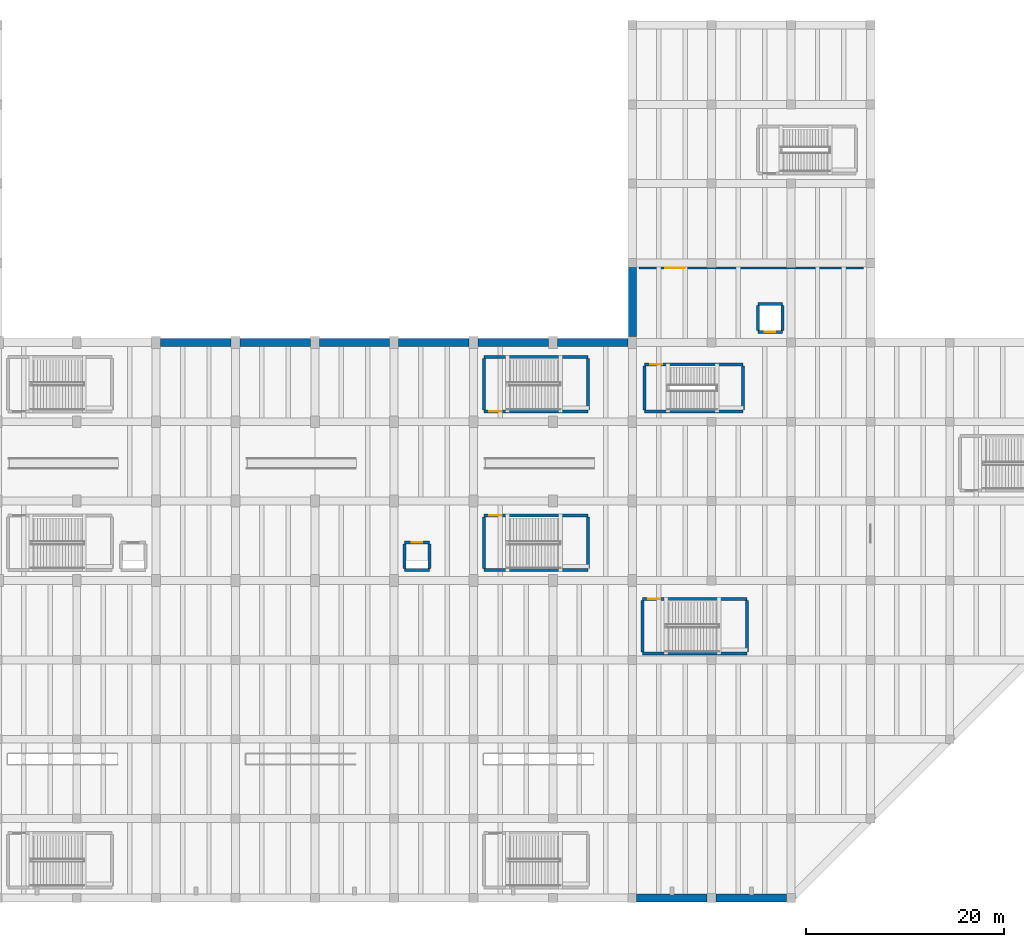
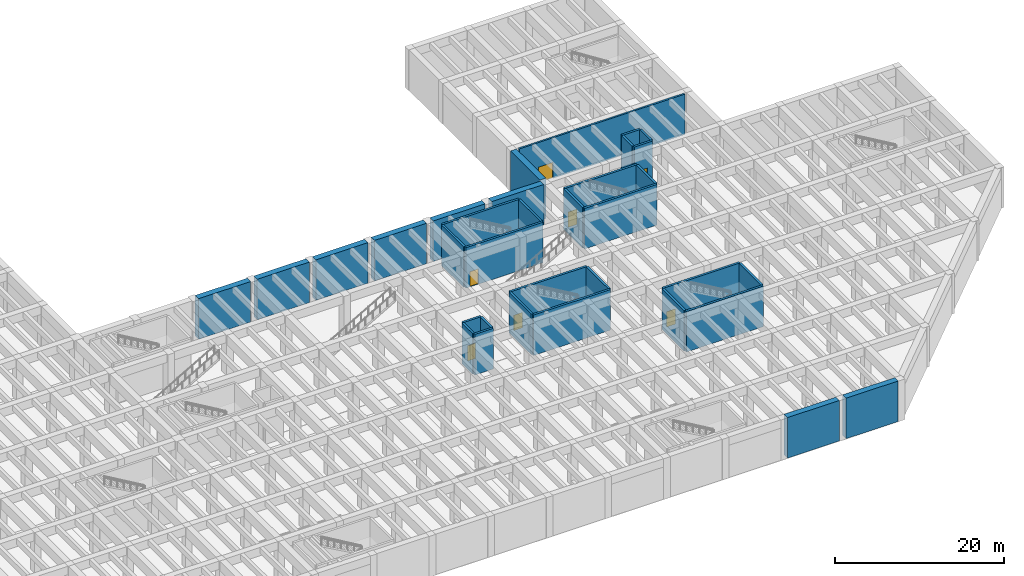
# One storey, part 10 of 24: 34 walls, 7 doors, 7 openings.
"""IFC4 building model written with IfcOpenShell, lengths in metres."""

from ifc_helpers import new_model, si_unit, direction, frame, frame_2d, origin, place, context, subcontext, project, spatial, rectangle, extrude, material, layer, layer_set, type_object, element, fill, save


model = new_model("IFC4")

# Units and contexts
model_context = context("Model", 3, precision=1e-05, world=origin(), true_north=direction((0.0, 1.0)))
body_context = subcontext(model_context, "Body", "Model", "MODEL_VIEW")
ifc_project = project(units=[si_unit("LENGTHUNIT", "METRE"), si_unit("AREAUNIT", "SQUARE_METRE"), si_unit("VOLUMEUNIT", "CUBIC_METRE"), si_unit("PLANEANGLEUNIT", "RADIAN"), si_unit("MASSUNIT", "GRAM", prefix="KILO")], contexts=[model_context])

# Site, building, storey
site_placement = place(None, origin())
site = spatial("IfcSite", under=ifc_project, at=site_placement, CompositionType="ELEMENT")
building_placement = place(site_placement, origin())
building = spatial("IfcBuilding", under=site, at=building_placement, Name="Varnela Railside Interchange", CompositionType="ELEMENT")
storey_placement = place(building_placement, frame((0.0, 0.0, -6.300048828125)))
storey = spatial("IfcBuildingStorey", under=building, at=storey_placement, Name="B1", CompositionType="ELEMENT", Elevation=-6.300048828125)

# Wall, opening, door
ifc_material_1 = material(Name="Concrete C50", Category="concrete")
ifc_layer_1 = layer(ifc_material_1, 0.300048828125)
ifc_layer_set_1 = layer_set([ifc_layer_1], Name="Concrete C50")
wall_type_1 = type_object("IfcWallType", Name="Stair & Lift Shaft Wall SW-03", PredefinedType="SHEAR", material=ifc_layer_set_1)
wall_1_placement = place(storey_placement, frame((117.25, 59.75, 0.0), z_axis=(0.0, 0.0, 1.0), x_axis=(1.0, 0.0, 0.0)))
wall_1 = element("IfcWall", 1, at=wall_1_placement, inside=storey, type_object=wall_type_1, Name="Stair & Lift Shaft Wall SW-03 (B1) (WL-0279)", PredefinedType="SHEAR", context=body_context, shape_type="SweptSolid", body=[
    extrude(rectangle(XDim=9.89990234375, YDim=0.300048828125, at=frame_2d((4.949951171875, 0.0))), origin(), (0.0, 0.0, 1.0), 5.85009765625),
])
opening_1_placement = place(wall_1_placement, frame((0.550048828125, 0.0, 0.0)))
opening_1 = element("IfcOpeningElement", 2, at=opening_1_placement, cuts=wall_1, Name="Opening D-129", PredefinedType="OPENING", context=body_context, shape_type="SweptSolid", body=[
    extrude(rectangle(XDim=1.199951171875, YDim=2.199951171875, at=frame_2d((0.60009765625, 1.10009765625))), frame((0.0, 0.159912109375, 0.0), z_axis=(0.0, -1.0, 0.0), x_axis=(1.0, 0.0, 0.0)), (0.0, 0.0, 1.0), 0.320068359375),
])
ifc_material_2 = material(Name="Steel AR 350 (350 MPa)", Category="steel")
door_type_1 = type_object("IfcDoorType", Name="DR-SGL-1200-FD90", OperationType="NOTDEFINED", PredefinedType="DOOR", material=ifc_material_2)
door_1_placement = place(opening_1_placement, frame((1.199951171875, 0.0, 0.0), z_axis=(0.0, 0.0, 1.0), x_axis=(-1.0, 0.0, 0.0)))
door_1 = element("IfcDoor", 3, at=door_1_placement, inside=storey, type_object=door_type_1, Name="Door D-129", OperationType="SINGLE_SWING_LEFT", OverallHeight=2.199951171875, OverallWidth=1.199951171875, PredefinedType="DOOR", context=body_context, shape_type="SweptSolid", body=[
    extrude(rectangle(XDim=1.199951171875, YDim=2.199951171875, at=frame_2d((0.60009765625, 1.10009765625))), frame((0.0, 0.02490234375, 0.0), z_axis=(0.0, -1.0, 0.0), x_axis=(1.0, 0.0, 0.0)), (0.0, 0.0, 1.0), 0.050048828125),
])
fill(opening_1, door_1)

# Walls
wall_2_placement = place(storey_placement, frame((117.25, 55.050048828125, 0.0), z_axis=(0.0, 0.0, 1.0), x_axis=(1.0, 0.0, 0.0)))
element("IfcWall", 4, at=wall_2_placement, inside=storey, type_object=wall_type_1, Name="Stair & Lift Shaft Wall SW-03 (B1) (WL-0280)", PredefinedType="SHEAR", context=body_context, shape_type="SweptSolid", body=[
    extrude(rectangle(XDim=9.89990234375, YDim=0.300048828125, at=frame_2d((4.949951171875, 0.0))), origin(), (0.0, 0.0, 1.0), 5.85009765625),
])
for number, where, z_axis, x_axis, name in (
    (5, (117.25, 55.199951171875, 0.0), (0.0, 0.0, 1.0), (0.0, 1.0, 0.0), "Stair & Lift Shaft Wall SW-03 (B1) (WL-0281)"),
    (6, (127.14990234375, 55.199951171875, 0.0), (0.0, 0.0, 1.0), (0.0, 1.0, 0.0), "Stair & Lift Shaft Wall SW-03 (B1) (WL-0278)"),
):
    element("IfcWall", number, at=place(storey_placement, frame(where, z_axis=z_axis, x_axis=x_axis)), inside=storey, type_object=wall_type_1, Name=name, PredefinedType="SHEAR", context=body_context, shape_type="SweptSolid", body=[
        extrude(rectangle(XDim=4.400146484375, YDim=0.300048828125, at=frame_2d((2.2001953125, 0.0))), origin(), (0.0, 0.0, 1.0), 5.85009765625),
    ])

# Wall, opening, door
wall_3_placement = place(storey_placement, frame((101.050048828125, 44.550048828125, 0.0), z_axis=(0.0, 0.0, 1.0), x_axis=(1.0, 0.0, 0.0)))
wall_3 = element("IfcWall", 7, at=wall_3_placement, inside=storey, type_object=wall_type_1, Name="Stair & Lift Shaft Wall SW-03 (B1) (WL-0267)", PredefinedType="SHEAR", context=body_context, shape_type="SweptSolid", body=[
    extrude(rectangle(XDim=10.5, YDim=0.300048828125, at=frame_2d((5.25, 0.0))), origin(), (0.0, 0.0, 1.0), 5.85009765625),
])
opening_2_placement = place(wall_3_placement, frame((0.550048828125, 0.0, 0.0)))
opening_2 = element("IfcOpeningElement", 8, at=opening_2_placement, cuts=wall_3, Name="Opening D-133", PredefinedType="OPENING", context=body_context, shape_type="SweptSolid", body=[
    extrude(rectangle(XDim=1.199951171875, YDim=2.199951171875, at=frame_2d((0.60009765625, 1.10009765625))), frame((0.0, 0.159912109375, 0.0), z_axis=(0.0, -1.0, 0.0), x_axis=(1.0, 0.0, 0.0)), (0.0, 0.0, 1.0), 0.320068359375),
])
door_2_placement = place(opening_2_placement, frame((1.199951171875, 0.0, 0.0), z_axis=(0.0, 0.0, 1.0), x_axis=(-1.0, 0.0, 0.0)))
door_2 = element("IfcDoor", 9, at=door_2_placement, inside=storey, type_object=door_type_1, Name="Door D-133", OperationType="SINGLE_SWING_LEFT", OverallHeight=2.199951171875, OverallWidth=1.199951171875, PredefinedType="DOOR", context=body_context, shape_type="SweptSolid", body=[
    extrude(rectangle(XDim=1.199951171875, YDim=2.199951171875, at=frame_2d((0.60009765625, 1.10009765625))), frame((0.0, 0.02490234375, 0.0), z_axis=(0.0, -1.0, 0.0), x_axis=(1.0, 0.0, 0.0)), (0.0, 0.0, 1.0), 0.050048828125),
])
fill(opening_2, door_2)

# Walls
wall_4_placement = place(storey_placement, frame((101.050048828125, 39.050048828125, 0.0), z_axis=(0.0, 0.0, 1.0), x_axis=(1.0, 0.0, 0.0)))
element("IfcWall", 10, at=wall_4_placement, inside=storey, type_object=wall_type_1, Name="Stair & Lift Shaft Wall SW-03 (B1) (WL-0268)", PredefinedType="SHEAR", context=body_context, shape_type="SweptSolid", body=[
    extrude(rectangle(XDim=10.5, YDim=0.300048828125, at=frame_2d((5.25, 0.0))), origin(), (0.0, 0.0, 1.0), 5.85009765625),
])
for number, where, z_axis, x_axis, name in (
    (11, (101.050048828125, 39.199951171875, 0.0), (0.0, 0.0, 1.0), (0.0, 1.0, 0.0), "Stair & Lift Shaft Wall SW-03 (B1) (WL-0269)"),
    (12, (111.550048828125, 39.199951171875, 0.0), (0.0, 0.0, 1.0), (0.0, 1.0, 0.0), "Stair & Lift Shaft Wall SW-03 (B1) (WL-0266)"),
):
    element("IfcWall", number, at=place(storey_placement, frame(where, z_axis=z_axis, x_axis=x_axis)), inside=storey, type_object=wall_type_1, Name=name, PredefinedType="SHEAR", context=body_context, shape_type="SweptSolid", body=[
        extrude(rectangle(XDim=5.199951171875, YDim=0.300048828125, at=frame_2d((2.60009765625, 0.0))), origin(), (0.0, 0.0, 1.0), 5.85009765625),
    ])
wall_5_placement = place(storey_placement, frame((101.050048828125, 60.550048828125, 0.0), z_axis=(0.0, 0.0, 1.0), x_axis=(1.0, 0.0, 0.0)))
element("IfcWall", 13, at=wall_5_placement, inside=storey, type_object=wall_type_1, Name="Stair & Lift Shaft Wall SW-03 (B1) (WL-0275)", PredefinedType="SHEAR", context=body_context, shape_type="SweptSolid", body=[
    extrude(rectangle(XDim=10.5, YDim=0.300048828125, at=frame_2d((5.25, 0.0))), origin(), (0.0, 0.0, 1.0), 5.85009765625),
])

# Wall, opening, door
wall_6_placement = place(storey_placement, frame((101.050048828125, 55.050048828125, 0.0), z_axis=(0.0, 0.0, 1.0), x_axis=(1.0, 0.0, 0.0)))
wall_6 = element("IfcWall", 14, at=wall_6_placement, inside=storey, type_object=wall_type_1, Name="Stair & Lift Shaft Wall SW-03 (B1) (WL-0276)", PredefinedType="SHEAR", context=body_context, shape_type="SweptSolid", body=[
    extrude(rectangle(XDim=10.5, YDim=0.300048828125, at=frame_2d((5.25, 0.0))), origin(), (0.0, 0.0, 1.0), 5.85009765625),
])
opening_3_placement = place(wall_6_placement, frame((0.550048828125, 0.0, 0.0)))
opening_3 = element("IfcOpeningElement", 15, at=opening_3_placement, cuts=wall_6, Name="Opening D-135", PredefinedType="OPENING", context=body_context, shape_type="SweptSolid", body=[
    extrude(rectangle(XDim=1.199951171875, YDim=2.199951171875, at=frame_2d((0.60009765625, 1.10009765625))), frame((0.0, 0.159912109375, 0.0), z_axis=(0.0, -1.0, 0.0), x_axis=(1.0, 0.0, 0.0)), (0.0, 0.0, 1.0), 0.320068359375),
])
door_3_placement = place(opening_3_placement, origin())
door_3 = element("IfcDoor", 16, at=door_3_placement, inside=storey, type_object=door_type_1, Name="Door D-135", OperationType="SINGLE_SWING_LEFT", OverallHeight=2.199951171875, OverallWidth=1.199951171875, PredefinedType="DOOR", context=body_context, shape_type="SweptSolid", body=[
    extrude(rectangle(XDim=1.199951171875, YDim=2.199951171875, at=frame_2d((0.60009765625, 1.10009765625))), frame((0.0, 0.02490234375, 0.0), z_axis=(0.0, -1.0, 0.0), x_axis=(1.0, 0.0, 0.0)), (0.0, 0.0, 1.0), 0.050048828125),
])
fill(opening_3, door_3)

# Walls
for number, where, z_axis, x_axis, name in (
    (17, (101.050048828125, 55.199951171875, 0.0), (0.0, 0.0, 1.0), (0.0, 1.0, 0.0), "Stair & Lift Shaft Wall SW-03 (B1) (WL-0277)"),
    (18, (111.550048828125, 55.199951171875, 0.0), (0.0, 0.0, 1.0), (0.0, 1.0, 0.0), "Stair & Lift Shaft Wall SW-03 (B1) (WL-0274)"),
):
    element("IfcWall", number, at=place(storey_placement, frame(where, z_axis=z_axis, x_axis=x_axis)), inside=storey, type_object=wall_type_1, Name=name, PredefinedType="SHEAR", context=body_context, shape_type="SweptSolid", body=[
        extrude(rectangle(XDim=5.199951171875, YDim=0.300048828125, at=frame_2d((2.60009765625, 0.0))), origin(), (0.0, 0.0, 1.0), 5.85009765625),
    ])

# Wall, opening, door
wall_7_placement = place(storey_placement, frame((117.050048828125, 36.14990234375, 0.0), z_axis=(0.0, 0.0, 1.0), x_axis=(1.0, 0.0, 0.0)))
wall_7 = element("IfcWall", 19, at=wall_7_placement, inside=storey, type_object=wall_type_1, Name="Stair & Lift Shaft Wall SW-03 (B1) (WL-0295)", PredefinedType="SHEAR", context=body_context, shape_type="SweptSolid", body=[
    extrude(rectangle(XDim=10.5, YDim=0.300048828125, at=frame_2d((5.25, 0.0))), origin(), (0.0, 0.0, 1.0), 5.85009765625),
])
opening_4_placement = place(wall_7_placement, frame((0.550048828125, 0.0, 0.0)))
opening_4 = element("IfcOpeningElement", 20, at=opening_4_placement, cuts=wall_7, Name="Opening D-137", PredefinedType="OPENING", context=body_context, shape_type="SweptSolid", body=[
    extrude(rectangle(XDim=1.199951171875, YDim=2.199951171875, at=frame_2d((0.60009765625, 1.10009765625))), frame((0.0, 0.159912109375, 0.0), z_axis=(0.0, -1.0, 0.0), x_axis=(1.0, 0.0, 0.0)), (0.0, 0.0, 1.0), 0.320068359375),
])
door_4_placement = place(opening_4_placement, frame((1.199951171875, 0.0, 0.0), z_axis=(0.0, 0.0, 1.0), x_axis=(-1.0, 0.0, 0.0)))
door_4 = element("IfcDoor", 21, at=door_4_placement, inside=storey, type_object=door_type_1, Name="Door D-137", OperationType="SINGLE_SWING_LEFT", OverallHeight=2.199951171875, OverallWidth=1.199951171875, PredefinedType="DOOR", context=body_context, shape_type="SweptSolid", body=[
    extrude(rectangle(XDim=1.199951171875, YDim=2.199951171875, at=frame_2d((0.60009765625, 1.10009765625))), frame((0.0, 0.02490234375, 0.0), z_axis=(0.0, -1.0, 0.0), x_axis=(1.0, 0.0, 0.0)), (0.0, 0.0, 1.0), 0.050048828125),
])
fill(opening_4, door_4)

# Walls
wall_8_placement = place(storey_placement, frame((117.050048828125, 30.64990234375, 0.0), z_axis=(0.0, 0.0, 1.0), x_axis=(1.0, 0.0, 0.0)))
element("IfcWall", 22, at=wall_8_placement, inside=storey, type_object=wall_type_1, Name="Stair & Lift Shaft Wall SW-03 (B1) (WL-0296)", PredefinedType="SHEAR", context=body_context, shape_type="SweptSolid", body=[
    extrude(rectangle(XDim=10.5, YDim=0.300048828125, at=frame_2d((5.25, 0.0))), origin(), (0.0, 0.0, 1.0), 5.85009765625),
])
for number, where, z_axis, x_axis, name in (
    (23, (117.050048828125, 30.800048828125, 0.0), (0.0, 0.0, 1.0), (0.0, 1.0, 0.0), "Stair & Lift Shaft Wall SW-03 (B1) (WL-0297)"),
    (24, (127.550048828125, 30.800048828125, 0.0), (0.0, 0.0, 1.0), (0.0, 1.0, 0.0), "Stair & Lift Shaft Wall SW-03 (B1) (WL-0294)"),
):
    element("IfcWall", number, at=place(storey_placement, frame(where, z_axis=z_axis, x_axis=x_axis)), inside=storey, type_object=wall_type_1, Name=name, PredefinedType="SHEAR", context=body_context, shape_type="SweptSolid", body=[
        extrude(rectangle(XDim=5.199951171875, YDim=0.300048828125, at=frame_2d((2.60009765625, 0.0))), origin(), (0.0, 0.0, 1.0), 5.85009765625),
    ])

# Wall, opening, door
wall_9_placement = place(storey_placement, frame((93.050048828125, 41.85009765625, 0.0), z_axis=(0.0, 0.0, 1.0), x_axis=(1.0, 0.0, 0.0)))
wall_9 = element("IfcWall", 25, at=wall_9_placement, inside=storey, type_object=wall_type_1, Name="Stair & Lift Shaft Wall SW-03 (B1) (WL-0255)", PredefinedType="SHEAR", context=body_context, shape_type="SweptSolid", body=[
    extrude(rectangle(XDim=2.5, YDim=0.300048828125, at=frame_2d((1.25, 0.0))), origin(), (0.0, 0.0, 1.0), 5.85009765625),
])
opening_5_placement = place(wall_9_placement, frame((0.699951171875, 0.0, 0.0)))
opening_5 = element("IfcOpeningElement", 26, at=opening_5_placement, cuts=wall_9, Name="Opening LD-017", PredefinedType="OPENING", context=body_context, shape_type="SweptSolid", body=[
    extrude(rectangle(XDim=1.080078125, YDim=2.199951171875, at=frame_2d((0.5400390625, 1.10009765625))), frame((0.0, 0.159912109375, 0.0), z_axis=(0.0, -1.0, 0.0), x_axis=(1.0, 0.0, 0.0)), (0.0, 0.0, 1.0), 0.320068359375),
])
door_type_2 = type_object("IfcDoorType", Name="DR-LIFT-1080", OperationType="SLIDING_TO_LEFT", PredefinedType="DOOR", material=ifc_material_2)
door_5_placement = place(opening_5_placement, origin())
door_5 = element("IfcDoor", 27, at=door_5_placement, inside=storey, type_object=door_type_2, Name="Door LD-017", OperationType="SLIDING_TO_LEFT", OverallHeight=2.199951171875, OverallWidth=1.080078125, PredefinedType="DOOR", context=body_context, shape_type="SweptSolid", body=[
    extrude(rectangle(XDim=1.080078125, YDim=2.199951171875, at=frame_2d((0.5400390625, 1.10009765625))), frame((0.0, 0.02490234375, 0.0), z_axis=(0.0, -1.0, 0.0), x_axis=(1.0, 0.0, 0.0)), (0.0, 0.0, 1.0), 0.050048828125),
])
fill(opening_5, door_5)

# Walls
for number, where, z_axis, x_axis, name in (
    (28, (93.050048828125, 39.050048828125, 0.0), (0.0, 0.0, 1.0), (1.0, 0.0, 0.0), "Stair & Lift Shaft Wall SW-03 (B1) (WL-0256)"),
    (29, (93.050048828125, 39.199951171875, 0.0), (0.0, 0.0, 1.0), (0.0, 1.0, 0.0), "Stair & Lift Shaft Wall SW-03 (B1) (WL-0257)"),
    (30, (95.550048828125, 39.199951171875, 0.0), (0.0, 0.0, 1.0), (0.0, 1.0, 0.0), "Stair & Lift Shaft Wall SW-03 (B1) (WL-0254)"),
    (31, (128.64990234375, 65.85009765625, 0.0), (0.0, 0.0, 1.0), (1.0, 0.0, 0.0), "Stair & Lift Shaft Wall SW-03 (B1) (WL-0259)"),
):
    element("IfcWall", number, at=place(storey_placement, frame(where, z_axis=z_axis, x_axis=x_axis)), inside=storey, type_object=wall_type_1, Name=name, PredefinedType="SHEAR", context=body_context, shape_type="SweptSolid", body=[
        extrude(rectangle(XDim=2.5, YDim=0.300048828125, at=frame_2d((1.25, 0.0))), origin(), (0.0, 0.0, 1.0), 5.85009765625),
    ])

# Wall, opening, door
wall_10_placement = place(storey_placement, frame((128.64990234375, 63.050048828125, 0.0), z_axis=(0.0, 0.0, 1.0), x_axis=(1.0, 0.0, 0.0)))
wall_10 = element("IfcWall", 32, at=wall_10_placement, inside=storey, type_object=wall_type_1, Name="Stair & Lift Shaft Wall SW-03 (B1) (WL-0260)", PredefinedType="SHEAR", context=body_context, shape_type="SweptSolid", body=[
    extrude(rectangle(XDim=2.5, YDim=0.300048828125, at=frame_2d((1.25, 0.0))), origin(), (0.0, 0.0, 1.0), 5.85009765625),
])
opening_6_placement = place(wall_10_placement, frame((0.699951171875, 0.0, 0.0)))
opening_6 = element("IfcOpeningElement", 33, at=opening_6_placement, cuts=wall_10, Name="Opening LD-018", PredefinedType="OPENING", context=body_context, shape_type="SweptSolid", body=[
    extrude(rectangle(XDim=1.080078125, YDim=2.199951171875, at=frame_2d((0.5400390625, 1.10009765625))), frame((0.0, 0.159912109375, 0.0), z_axis=(0.0, -1.0, 0.0), x_axis=(1.0, 0.0, 0.0)), (0.0, 0.0, 1.0), 0.320068359375),
])
door_6_placement = place(opening_6_placement, origin())
door_6 = element("IfcDoor", 34, at=door_6_placement, inside=storey, type_object=door_type_2, Name="Door LD-018", OperationType="SLIDING_TO_LEFT", OverallHeight=2.199951171875, OverallWidth=1.080078125, PredefinedType="DOOR", context=body_context, shape_type="SweptSolid", body=[
    extrude(rectangle(XDim=1.080078125, YDim=2.199951171875, at=frame_2d((0.5400390625, 1.10009765625))), frame((0.0, 0.02490234375, 0.0), z_axis=(0.0, -1.0, 0.0), x_axis=(1.0, 0.0, 0.0)), (0.0, 0.0, 1.0), 0.050048828125),
])
fill(opening_6, door_6)

# Walls
for number, where, z_axis, x_axis, name in (
    (35, (128.64990234375, 63.199951171875, 0.0), (0.0, 0.0, 1.0), (0.0, 1.0, 0.0), "Stair & Lift Shaft Wall SW-03 (B1) (WL-0261)"),
    (36, (131.14990234375, 63.199951171875, 0.0), (0.0, 0.0, 1.0), (0.0, 1.0, 0.0), "Stair & Lift Shaft Wall SW-03 (B1) (WL-0258)"),
):
    element("IfcWall", number, at=place(storey_placement, frame(where, z_axis=z_axis, x_axis=x_axis)), inside=storey, type_object=wall_type_1, Name=name, PredefinedType="SHEAR", context=body_context, shape_type="SweptSolid", body=[
        extrude(rectangle(XDim=2.5, YDim=0.300048828125, at=frame_2d((1.25, 0.0))), origin(), (0.0, 0.0, 1.0), 5.85009765625),
    ])
ifc_material_3 = material(Name="Concrete C40", Category="concrete")
ifc_layer_2 = layer(ifc_material_3, 0.800048828125)
ifc_layer_set_2 = layer_set([ifc_layer_2], Name="Concrete C40")
wall_type_2 = type_object("IfcWallType", Name="Station Box Retaining Wall DW-02", PredefinedType="USERDEFINED", material=ifc_layer_set_2)
for number, where, z_axis, x_axis, name in (
    (37, (116.449951171875, 6.0, 0.0), (0.0, 0.0, 1.0), (1.0, 0.0, 0.0), "Station Box Retaining Wall DW-02 (B1) (WL-0218)"),
    (38, (124.449951171875, 6.0, 0.0), (0.0, 0.0, 1.0), (1.0, 0.0, 0.0), "Station Box Retaining Wall DW-02 (B1) (WL-0219)"),
):
    element("IfcWall", number, at=place(storey_placement, frame(where, z_axis=z_axis, x_axis=x_axis)), inside=storey, type_object=wall_type_2, Name=name, ObjectType="RETAININGWALL", PredefinedType="USERDEFINED", context=body_context, shape_type="SweptSolid", body=[
        extrude(rectangle(XDim=7.10009765625, YDim=0.800048828125, at=frame_2d((3.550048828125, 0.0))), origin(), (0.0, 0.0, 1.0), 5.85009765625),
    ])
wall_11_placement = place(storey_placement, frame((116.0, 69.550048828125, 0.0), z_axis=(0.0, 0.0, 1.0), x_axis=(0.0, -1.0, 0.0)))
element("IfcWall", 39, at=wall_11_placement, inside=storey, type_object=wall_type_2, Name="Station Box Retaining Wall DW-02 (B1) (WL-0195)", ObjectType="RETAININGWALL", PredefinedType="USERDEFINED", context=body_context, shape_type="SweptSolid", body=[
    extrude(rectangle(XDim=6.949951171875, YDim=0.800048828125, at=frame_2d((3.47509765625, 0.0))), origin(), (0.0, 0.0, 1.0), 5.85009765625),
])
for number, where, z_axis, x_axis, name in (
    (40, (115.550048828125, 62.0, 0.0), (0.0, 0.0, 1.0), (-1.0, 0.0, 0.0), "Station Box Retaining Wall DW-02 (B1) (WL-0196)"),
    (41, (107.550048828125, 62.0, 0.0), (0.0, 0.0, 1.0), (-1.0, 0.0, 0.0), "Station Box Retaining Wall DW-02 (B1) (WL-0197)"),
    (42, (99.550048828125, 62.0, 0.0), (0.0, 0.0, 1.0), (-1.0, 0.0, 0.0), "Station Box Retaining Wall DW-02 (B1) (WL-0198)"),
    (43, (91.550048828125, 62.0, 0.0), (0.0, 0.0, 1.0), (-1.0, 0.0, 0.0), "Station Box Retaining Wall DW-02 (B1) (WL-0199)"),
    (44, (83.550048828125, 62.0, 0.0), (0.0, 0.0, 1.0), (-1.0, 0.0, 0.0), "Station Box Retaining Wall DW-02 (B1) (WL-0200)"),
    (45, (75.550048828125, 62.0, 0.0), (0.0, 0.0, 1.0), (-1.0, 0.0, 0.0), "Station Box Retaining Wall DW-02 (B1) (WL-0201)"),
):
    element("IfcWall", number, at=place(storey_placement, frame(where, z_axis=z_axis, x_axis=x_axis)), inside=storey, type_object=wall_type_2, Name=name, ObjectType="RETAININGWALL", PredefinedType="USERDEFINED", context=body_context, shape_type="SweptSolid", body=[
        extrude(rectangle(XDim=7.10009765625, YDim=0.800048828125, at=frame_2d((3.550048828125, 0.0))), origin(), (0.0, 0.0, 1.0), 5.85009765625),
    ])

# Wall, opening, door
ifc_layer_3 = layer(ifc_material_3, 0.25)
ifc_layer_set_3 = layer_set([ifc_layer_3], Name="Concrete C40")
wall_type_3 = type_object("IfcWallType", Name="Substation Fire Wall EI120 FW-03", PredefinedType="SOLIDWALL", material=ifc_layer_set_3)
wall_12_placement = place(storey_placement, frame((116.699951171875, 69.5, 0.0), z_axis=(0.0, 0.0, 1.0), x_axis=(1.0, 0.0, 0.0)))
wall_12 = element("IfcWall", 46, at=wall_12_placement, inside=storey, type_object=wall_type_3, Name="Substation Fire Wall EI120 FW-03 (B1) (WL-0243)", PredefinedType="SOLIDWALL", context=body_context, shape_type="SweptSolid", body=[
    extrude(rectangle(XDim=22.60009765625, YDim=0.25, at=frame_2d((11.300048828125, 0.0))), origin(), (0.0, 0.0, 1.0), 5.85009765625),
])
opening_7_placement = place(wall_12_placement, frame((2.60009765625, 0.0, 0.0)))
opening_7 = element("IfcOpeningElement", 47, at=opening_7_placement, cuts=wall_12, Name="Opening D-146", PredefinedType="OPENING", context=body_context, shape_type="SweptSolid", body=[
    extrude(rectangle(XDim=2.0, YDim=2.300048828125, at=frame_2d((1.0, 1.14990234375))), frame((0.0, 0.135009765625, 0.0), z_axis=(0.0, -1.0, 0.0), x_axis=(1.0, 0.0, 0.0)), (0.0, 0.0, 1.0), 0.27001953125),
])
door_type_3 = type_object("IfcDoorType", Name="DR-DBL-2000-FD60", OperationType="DOUBLE_DOOR_SINGLE_SWING", PredefinedType="DOOR", material=ifc_material_2)
door_7_placement = place(opening_7_placement, origin())
door_7 = element("IfcDoor", 48, at=door_7_placement, inside=storey, type_object=door_type_3, Name="Door D-146", OperationType="DOUBLE_DOOR_SINGLE_SWING", OverallHeight=2.300048828125, OverallWidth=2.0, PredefinedType="DOOR", context=body_context, shape_type="SweptSolid", body=[
    extrude(rectangle(XDim=2.0, YDim=2.300048828125, at=frame_2d((1.0, 1.14990234375))), frame((0.0, 0.02490234375, 0.0), z_axis=(0.0, -1.0, 0.0), x_axis=(1.0, 0.0, 0.0)), (0.0, 0.0, 1.0), 0.050048828125),
])
fill(opening_7, door_7)

save(model, "model.ifc")
